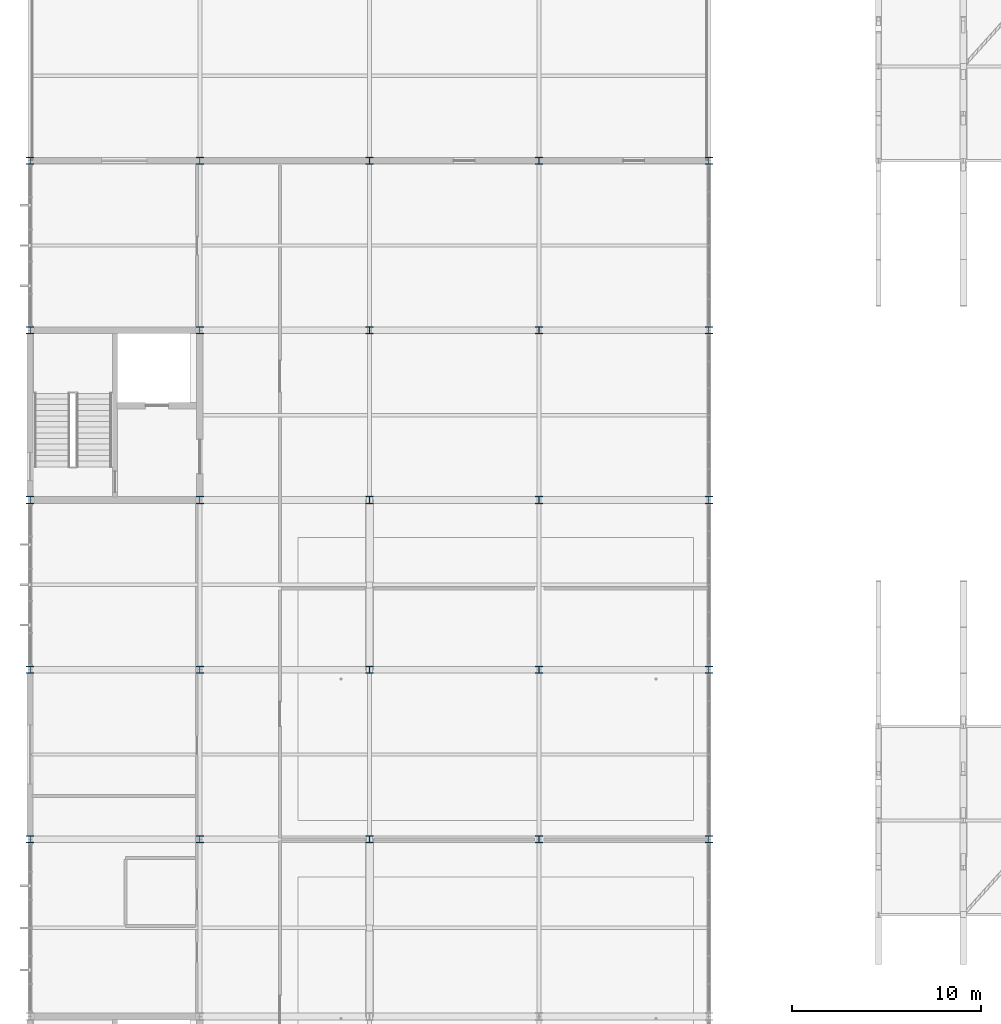
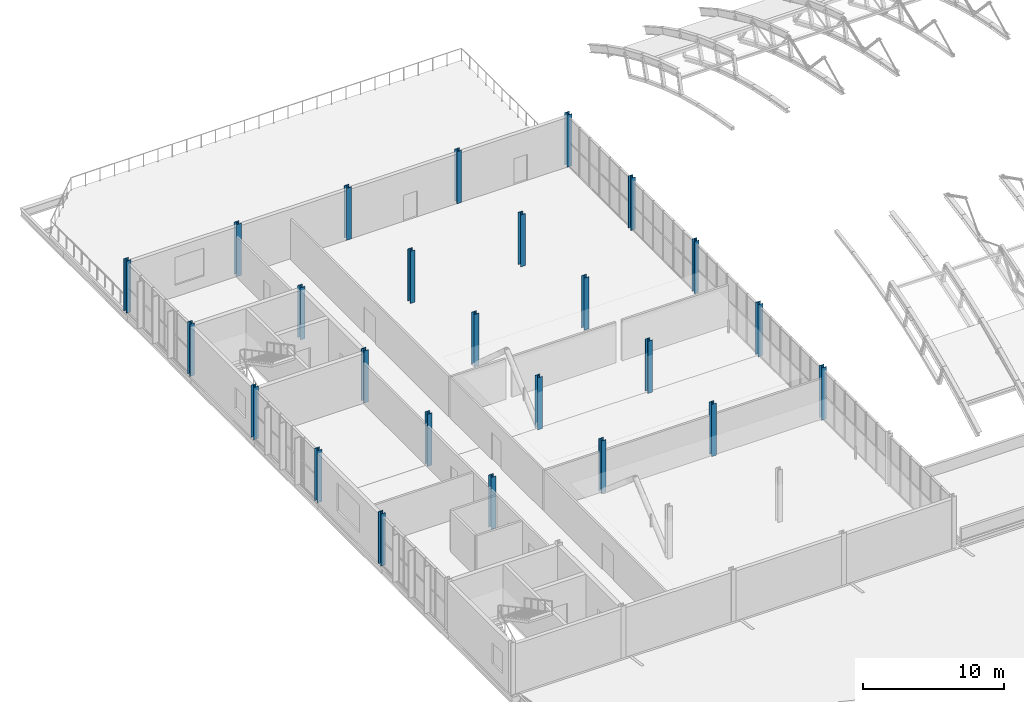
# One storey, part 3 of 103: 25 columns.
"""IFC4 building model written with IfcOpenShell, lengths in metres."""

import ifcopenshell
import ifcopenshell.guid

model = None  # the IFC model being written
_history = None  # IfcOwnerHistory: only IFC2X3 demands one
_inside = {}  # id of a spatial element -> (the spatial element, [elements in it])
_under = {}  # id of a project, library or spatial element -> (it, [spatial elements below it])
_declared = {}  # id of a project -> (the project, [libraries it declares])
_typed = {}  # id of a type object -> (the type object, [elements of that type])
_made_of = {}  # id of a material, layer set ... -> (it, [elements and type objects made of it])


def new_model(schema):
    """Start an empty IFC model of exactly this schema.

    Asked for "IFC4X3", IfcOpenShell would pick the latest addendum, in which some entities
    have other attributes; the version numbers below select the first issue.
    IFC2X3 requires an IfcOwnerHistory on every rooted entity: one is made here for all.
    """
    global model, _history
    if schema == "IFC4X3":
        model = ifcopenshell.file(schema_version=(4, 3, 0, 0))
    else:
        model = ifcopenshell.file(schema=schema)
    _inside.clear()
    _under.clear()
    _declared.clear()
    _typed.clear()
    _made_of.clear()
    _history = None
    if model.schema == "IFC2X3":
        org = make("IfcOrganization", Name="unknown")
        user = make(
            "IfcPersonAndOrganization",
            ThePerson=make("IfcPerson", FamilyName="unknown"),
            TheOrganization=org,
        )
        app = make(
            "IfcApplication",
            ApplicationDeveloper=org,
            Version="unknown",
            ApplicationFullName="unknown",
            ApplicationIdentifier="unknown",
        )
        _history = make(
            "IfcOwnerHistory",
            OwningUser=user,
            OwningApplication=app,
            ChangeAction="ADDED",
            CreationDate=0,
        )
    return model


def make(cls, **values):
    """One entity of the class cls with the attributes given. An attribute that is None is left unset."""
    return model.create_entity(
        cls, **{name: value for name, value in values.items() if value is not None}
    )


def rooted(cls, **values):
    """An entity with a GlobalId (a new one), such as an element, a storey or a relation."""
    return make(cls, GlobalId=ifcopenshell.guid.new(), OwnerHistory=_history, **values)


def si_unit(unit_type, name, prefix=None):
    """IfcSIUnit, for example si_unit("LENGTHUNIT", "METRE", prefix="MILLI")."""
    return make("IfcSIUnit", UnitType=unit_type, Prefix=prefix, Name=name)


def assignment(units):
    """IfcUnitAssignment: the units of a project."""
    return None if units is None else make("IfcUnitAssignment", Units=units)


def point(xyz):
    """IfcCartesianPoint."""
    return None if xyz is None else make("IfcCartesianPoint", Coordinates=xyz)


def direction(xyz):
    """IfcDirection."""
    return None if xyz is None else make("IfcDirection", DirectionRatios=xyz)


def frame(location, z_axis=None, x_axis=None):
    """IfcAxis2Placement3D, a coordinate frame: its origin and axes. An axis left out is left unset."""
    return make(
        "IfcAxis2Placement3D",
        Location=point(location),
        Axis=direction(z_axis),
        RefDirection=direction(x_axis),
    )


def frame_2d(location, x_axis=None):
    """IfcAxis2Placement2D, a coordinate frame in the plane: its origin and x axis."""
    return make(
        "IfcAxis2Placement2D", Location=point(location), RefDirection=direction(x_axis)
    )


def origin():
    """The frame at (0, 0, 0) with its axes left unset."""
    return frame((0.0, 0.0, 0.0))


def origin_2d():
    """The frame at (0, 0) in the plane with its x axis left unset."""
    return frame_2d((0.0, 0.0))


def place(relative_to, where):
    """IfcLocalPlacement: puts the frame where relative to a parent placement (None: the world)."""
    return make(
        "IfcLocalPlacement", PlacementRelTo=relative_to, RelativePlacement=where
    )


def context(
    kind, dimensions, precision=None, world=None, true_north=None, identifier=None
):
    """IfcGeometricRepresentationContext, for example the 3D "Model" context."""
    return make(
        "IfcGeometricRepresentationContext",
        ContextIdentifier=identifier,
        ContextType=kind,
        CoordinateSpaceDimension=dimensions,
        Precision=precision,
        WorldCoordinateSystem=world,
        TrueNorth=true_north,
    )


def subcontext(parent, identifier, kind, view, scale=None):
    """IfcGeometricRepresentationSubContext, for example "Body" below "Model"."""
    return make(
        "IfcGeometricRepresentationSubContext",
        ContextIdentifier=identifier,
        ContextType=kind,
        ParentContext=parent,
        TargetScale=scale,
        TargetView=view,
    )


def project(units=None, contexts=None):
    """IfcProject with its units and contexts."""
    return rooted(
        "IfcProject",
        Name="project",
        RepresentationContexts=contexts,
        UnitsInContext=assignment(units),
    )


def spatial(cls, under=None, at=None, **own):
    """A site, building, storey or space (cls), placed at a placement, below another one or the project."""
    s = rooted(cls, ObjectPlacement=at, **own)
    if under is not None:
        _under.setdefault(under.id(), (under, []))[1].append(s)
    return s


def profile(cls, at=None, kind="AREA", **sizes):
    """A parametric profile (cls). Its sizes go by their IFC names, for example OverallWidth=200.0."""
    return make(cls, ProfileType=kind, Position=at, **sizes)


def i_section(**sizes):
    """IfcIShapeProfileDef."""
    return profile("IfcIShapeProfileDef", **sizes)


def extrude(swept, where, along, depth):
    """IfcExtrudedAreaSolid: the profile swept, set in the frame where, extruded along a direction by depth."""
    return make(
        "IfcExtrudedAreaSolid",
        SweptArea=swept,
        Position=where,
        ExtrudedDirection=direction(along),
        Depth=depth,
    )


def shape(context_of_items, identifier, shape_type, items):
    """IfcShapeRepresentation: the items that make up one representation, for example the "Body"."""
    return make(
        "IfcShapeRepresentation",
        ContextOfItems=context_of_items,
        RepresentationIdentifier=identifier,
        RepresentationType=shape_type,
        Items=items,
    )


def material(Name=None, Category=None):
    """IfcMaterial."""
    return make("IfcMaterial", Name=Name, Category=Category)


def material_profile(
    of_material, cross_section, Name=None, Category=None, Priority=None
):
    """IfcMaterialProfile: a cross section and its material."""
    return make(
        "IfcMaterialProfile",
        Name=Name,
        Material=of_material,
        Profile=cross_section,
        Priority=Priority,
        Category=Category,
    )


def profile_set(profiles, Name=None, composite=None):
    """IfcMaterialProfileSet."""
    return make(
        "IfcMaterialProfileSet",
        Name=Name,
        MaterialProfiles=profiles,
        CompositeProfile=composite,
    )


def made_of(thing, what):
    """Note that an element or type object is made of a material, layer set ...; save() writes the relation."""
    if what is not None:
        _made_of.setdefault(what.id(), (what, []))[1].append(thing)
    return thing


def type_object(cls, material=None, **own):
    """A type object (cls), such as IfcWallType, which elements share."""
    return made_of(rooted(cls, **own), material)


def element(
    cls,
    number,
    at=None,
    inside=None,
    cuts=None,
    type_object=None,
    material=None,
    context=None,
    identifier="Body",
    shape_type=None,
    held_by="IfcProductDefinitionShape",
    body=None,
    shapes=None,
    **own,
):
    """One element of the class cls, such as IfcWall. Its Tag is "e" and its number.

    at: its placement. inside: the storey or other place that contains it. cuts: it is an
    opening in that element (IfcRelVoidsElement). A single representation is given by context,
    identifier, shape_type and body (its items); several are given by shapes. held_by: the class
    of the entity that holds the representations. save() writes the other relations.
    """
    e = rooted(cls, Tag="e%d" % number, ObjectPlacement=at, **own)
    if body is not None:
        shapes = [shape(context, identifier, shape_type, body)]
    if shapes is not None:
        e.Representation = make(held_by, Representations=shapes)
    if inside is not None:
        _inside.setdefault(inside.id(), (inside, []))[1].append(e)
    if cuts is not None:
        rooted(
            "IfcRelVoidsElement", RelatingBuildingElement=cuts, RelatedOpeningElement=e
        )
    if type_object is not None:
        _typed.setdefault(type_object.id(), (type_object, []))[1].append(e)
    return made_of(e, material)


def aggregate(whole, parts):
    """IfcRelAggregates: a whole, such as a stair, and the parts it consists of."""
    return rooted("IfcRelAggregates", RelatingObject=whole, RelatedObjects=parts)


def save(model, path):
    """Write the relations noted so far, then the file.

    IfcRelAggregates (storeys below a building ...), IfcRelContainedInSpatialStructure (elements
    in a storey), IfcRelDefinesByType, IfcRelAssociatesMaterial and IfcRelDeclares: one each for
    every whole, place, type object, material and project.
    """
    for whole, parts in _under.values():
        aggregate(whole, parts)
    for where, things in _inside.values():
        rooted(
            "IfcRelContainedInSpatialStructure",
            RelatedElements=things,
            RelatingStructure=where,
        )
    for kind, things in _typed.values():
        rooted("IfcRelDefinesByType", RelatedObjects=things, RelatingType=kind)
    for what, things in _made_of.values():
        rooted("IfcRelAssociatesMaterial", RelatedObjects=things, RelatingMaterial=what)
    for by, libraries in _declared.values():
        rooted("IfcRelDeclares", RelatingContext=by, RelatedDefinitions=libraries)
    model.write(path)


model = new_model("IFC4")

# Units and contexts
model_context = context("Model", 3, precision=1e-05, world=origin(), true_north=direction((0.0, 1.0)))
body_context = subcontext(model_context, "Body", "Model", "MODEL_VIEW")
ifc_project = project(units=[si_unit("LENGTHUNIT", "METRE"), si_unit("AREAUNIT", "SQUARE_METRE"), si_unit("VOLUMEUNIT", "CUBIC_METRE"), si_unit("PLANEANGLEUNIT", "RADIAN"), si_unit("MASSUNIT", "GRAM", prefix="KILO")], contexts=[model_context])

# Site, building, storey
site_placement = place(None, origin())
site = spatial("IfcSite", under=ifc_project, at=site_placement, CompositionType="ELEMENT")
building_placement = place(site_placement, origin())
building = spatial("IfcBuilding", under=site, at=building_placement, Name="Cazmaro Siding Exhibition Halls", CompositionType="ELEMENT")
storey_placement = place(building_placement, frame((0.0, 0.0, 16.5)))
storey = spatial("IfcBuildingStorey", under=building, at=storey_placement, Name="L03", CompositionType="ELEMENT", Elevation=16.5)

# Columns
ifc_material = material(Name="Steel ASTM A992 Grade 50", Category="steel")
ifc_material_profile = material_profile(ifc_material, i_section(OverallWidth=0.39208984375, OverallDepth=0.3759765625, WebThickness=0.01708984375, FlangeThickness=0.028076171875, at=origin_2d()), Name="W14X145")
ifc_profile_set = profile_set([ifc_material_profile], Name="Steel ASTM A992 Grade 50")
column_type = type_object("IfcColumnType", Name="C-03", PredefinedType="COLUMN", material=ifc_profile_set)
for number, where, z_axis, x_axis, name in (
    (1, (0.0, 73.0, 0.0), (0.0, 0.0, 1.0), (1.0, 0.0, 0.0), "Column C-03 COL-0894"),
    (2, (0.0, 82.0, 0.0), (0.0, 0.0, 1.0), (1.0, 0.0, 0.0), "Column C-03 COL-0899"),
    (3, (0.0, 91.0, 0.0), (0.0, 0.0, 1.0), (1.0, 0.0, 0.0), "Column C-03 COL-0904"),
    (4, (0.0, 100.0, 0.0), (0.0, 0.0, 1.0), (1.0, 0.0, 0.0), "Column C-03 COL-0909"),
    (5, (0.0, 109.0, 0.0), (0.0, 0.0, 1.0), (1.0, 0.0, 0.0), "Column C-03 COL-0914"),
    (6, (9.0, 73.0, 0.0), (0.0, 0.0, 1.0), (1.0, 0.0, 0.0), "Column C-03 COL-0934"),
    (7, (9.0, 82.0, 0.0), (0.0, 0.0, 1.0), (1.0, 0.0, 0.0), "Column C-03 COL-0939"),
    (8, (9.0, 91.0, 0.0), (0.0, 0.0, 1.0), (1.0, 0.0, 0.0), "Column C-03 COL-0944"),
    (9, (9.0, 100.0, 0.0), (0.0, 0.0, 1.0), (1.0, 0.0, 0.0), "Column C-03 COL-0949"),
    (10, (9.0, 109.0, 0.0), (0.0, 0.0, 1.0), (1.0, 0.0, 0.0), "Column C-03 COL-0954"),
    (11, (18.0, 73.0, 0.0), (0.0, 0.0, 1.0), (1.0, 0.0, 0.0), "Column C-03 COL-0974"),
    (12, (18.0, 82.0, 0.0), (0.0, 0.0, 1.0), (1.0, 0.0, 0.0), "Column C-03 COL-0979"),
    (13, (18.0, 91.0, 0.0), (0.0, 0.0, 1.0), (1.0, 0.0, 0.0), "Column C-03 COL-0984"),
    (14, (18.0, 100.0, 0.0), (0.0, 0.0, 1.0), (1.0, 0.0, 0.0), "Column C-03 COL-0989"),
    (15, (18.0, 109.0, 0.0), (0.0, 0.0, 1.0), (1.0, 0.0, 0.0), "Column C-03 COL-0994"),
    (16, (27.0, 73.0, 0.0), (0.0, 0.0, 1.0), (1.0, 0.0, 0.0), "Column C-03 COL-1014"),
    (17, (27.0, 82.0, 0.0), (0.0, 0.0, 1.0), (1.0, 0.0, 0.0), "Column C-03 COL-1019"),
    (18, (27.0, 91.0, 0.0), (0.0, 0.0, 1.0), (1.0, 0.0, 0.0), "Column C-03 COL-1024"),
    (19, (27.0, 100.0, 0.0), (0.0, 0.0, 1.0), (1.0, 0.0, 0.0), "Column C-03 COL-1029"),
    (20, (27.0, 109.0, 0.0), (0.0, 0.0, 1.0), (1.0, 0.0, 0.0), "Column C-03 COL-1034"),
    (21, (36.0, 73.0, 0.0), (0.0, 0.0, 1.0), (1.0, 0.0, 0.0), "Column C-03 COL-1052"),
    (22, (36.0, 82.0, 0.0), (0.0, 0.0, 1.0), (1.0, 0.0, 0.0), "Column C-03 COL-1056"),
    (23, (36.0, 91.0, 0.0), (0.0, 0.0, 1.0), (1.0, 0.0, 0.0), "Column C-03 COL-1060"),
    (24, (36.0, 100.0, 0.0), (0.0, 0.0, 1.0), (1.0, 0.0, 0.0), "Column C-03 COL-1064"),
    (25, (36.0, 109.0, 0.0), (0.0, 0.0, 1.0), (1.0, 0.0, 0.0), "Column C-03 COL-1068"),
):
    element("IfcColumn", number, at=place(storey_placement, frame(where, z_axis=z_axis, x_axis=x_axis)), inside=storey, type_object=column_type, Name=name, PredefinedType="COLUMN", context=body_context, shape_type="SweptSolid", body=[
        extrude(i_section(OverallWidth=0.39208984375, OverallDepth=0.3759765625, WebThickness=0.01708984375, FlangeThickness=0.028076171875, at=origin_2d()), origin(), (0.0, 0.0, 1.0), 4.5),
    ])

save(model, "model.ifc")
